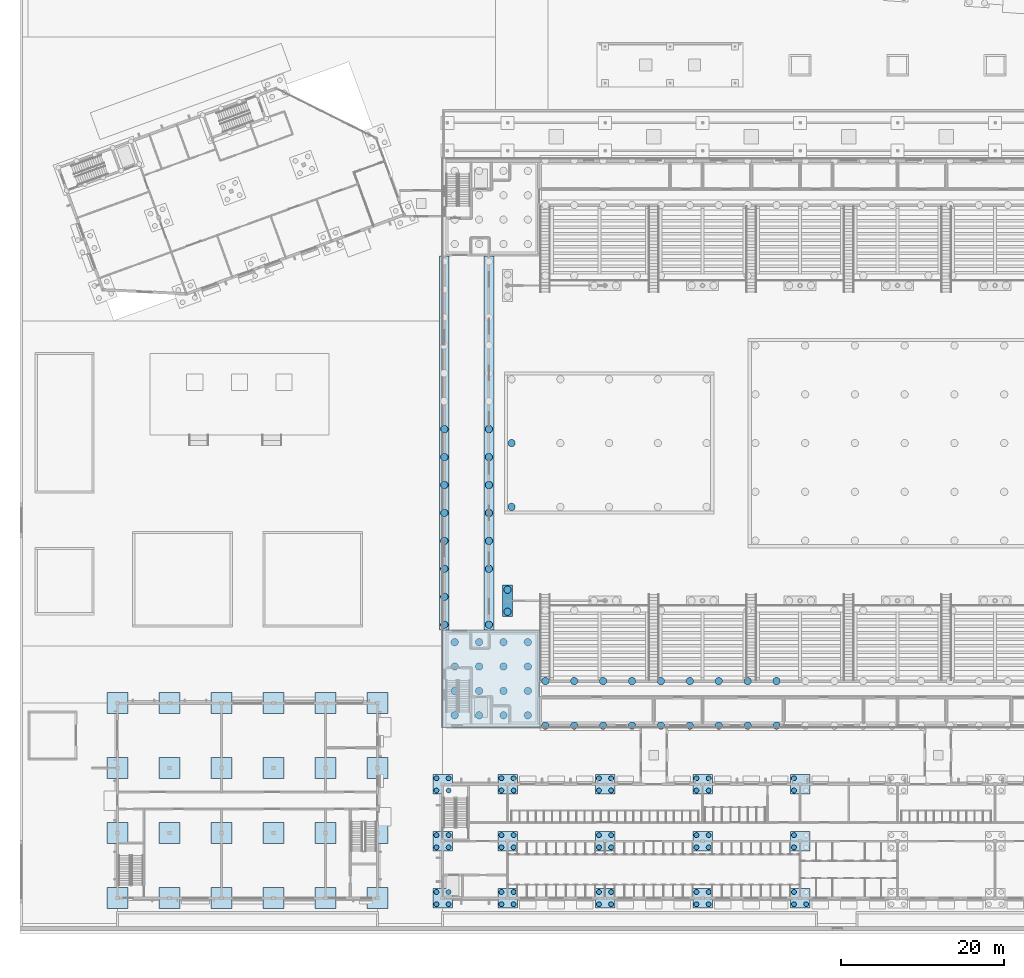
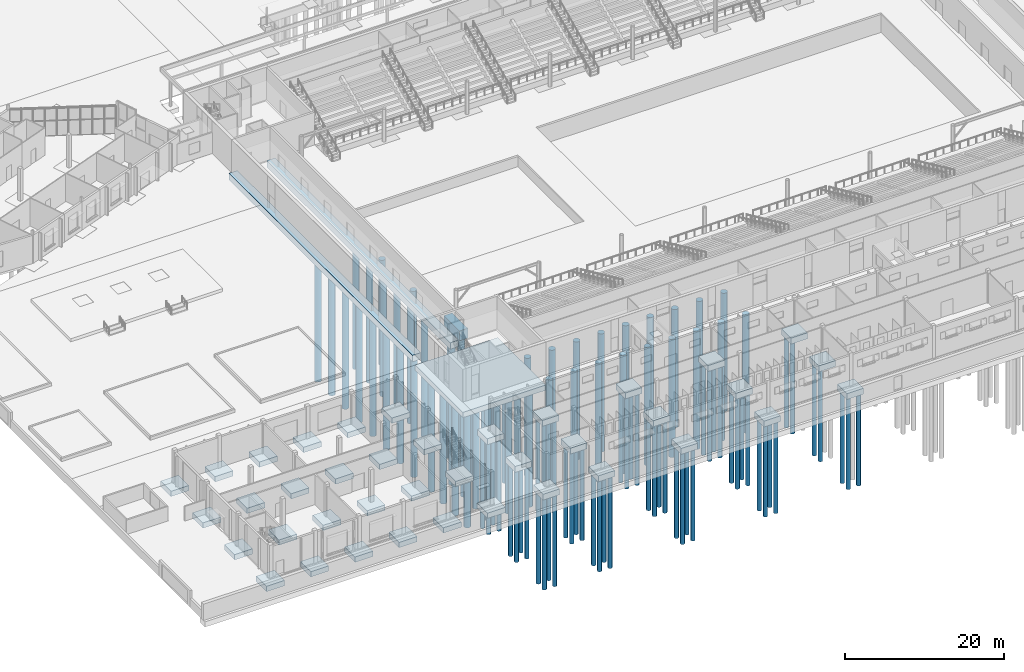
# One storey, part 1 of 157: 108 piles, 43 footings.
"""IFC4 building model written with IfcOpenShell, lengths in metres."""

from ifc_helpers import new_model, si_unit, direction, frame, origin, origin_2d, place, context, subcontext, project, spatial, rectangle, circle, extrude, material, material_profile, profile_set, type_object, element, save


model = new_model("IFC4")

# Units and contexts
model_context = context("Model", 3, precision=1e-05, world=origin(), true_north=direction((0.0, 1.0)))
body_context = subcontext(model_context, "Body", "Model", "MODEL_VIEW")
ifc_project = project(units=[si_unit("LENGTHUNIT", "METRE"), si_unit("AREAUNIT", "SQUARE_METRE"), si_unit("VOLUMEUNIT", "CUBIC_METRE"), si_unit("PLANEANGLEUNIT", "RADIAN"), si_unit("MASSUNIT", "GRAM", prefix="KILO")], contexts=[model_context])

# Site, building, storey
site_placement = place(None, origin())
site = spatial("IfcSite", under=ifc_project, at=site_placement, CompositionType="ELEMENT")
building_placement = place(site_placement, origin())
building = spatial("IfcBuilding", under=site, at=building_placement, Name="Windward Yard Aquatics Centre", CompositionType="ELEMENT")
storey_placement = place(building_placement, origin())
storey = spatial("IfcBuildingStorey", under=building, at=storey_placement, Name="L00", CompositionType="ELEMENT", Elevation=0.0)

# Piles
ifc_material = material(Name="Concrete C35/45", Category="concrete")
ifc_material_profile_1 = material_profile(ifc_material, circle(Radius=0.300048828125, at=origin_2d()), Name="RC D600")
ifc_profile_set_1 = profile_set([ifc_material_profile_1], Name="Concrete C35/45")
pile_type_1 = type_object("IfcPileType", Name="C bored pile D600", PredefinedType="BORED", material=ifc_profile_set_1)
for number, where, z_axis, x_axis, name in (
    (1, (51.25, 4.25, -1.050048828125), (0.0, 0.0, -1.0), (1.0, 0.0, 0.0), "C.PL.1.1.1"),
    (2, (52.75, 4.25, -1.050048828125), (0.0, 0.0, -1.0), (1.0, 0.0, 0.0), "C.PL.1.1.2"),
    (3, (52.75, 5.75, -1.050048828125), (0.0, 0.0, -1.0), (1.0, 0.0, 0.0), "C.PL.1.1.3"),
    (4, (51.25, 5.75, -1.050048828125), (0.0, 0.0, -1.0), (1.0, 0.0, 0.0), "C.PL.1.1.4"),
    (5, (51.25, 11.25, -1.050048828125), (0.0, 0.0, -1.0), (1.0, 0.0, 0.0), "C.PL.1.2.1"),
    (6, (52.75, 11.25, -1.050048828125), (0.0, 0.0, -1.0), (1.0, 0.0, 0.0), "C.PL.1.2.2"),
    (7, (52.75, 12.75, -1.050048828125), (0.0, 0.0, -1.0), (1.0, 0.0, 0.0), "C.PL.1.2.3"),
    (8, (51.25, 12.75, -1.050048828125), (0.0, 0.0, -1.0), (1.0, 0.0, 0.0), "C.PL.1.2.4"),
    (9, (51.25, 18.25, -1.050048828125), (0.0, 0.0, -1.0), (1.0, 0.0, 0.0), "C.PL.1.3.1"),
    (10, (52.75, 18.25, -1.050048828125), (0.0, 0.0, -1.0), (1.0, 0.0, 0.0), "C.PL.1.3.2"),
    (11, (52.75, 19.75, -1.050048828125), (0.0, 0.0, -1.0), (1.0, 0.0, 0.0), "C.PL.1.3.3"),
    (12, (51.25, 19.75, -1.050048828125), (0.0, 0.0, -1.0), (1.0, 0.0, 0.0), "C.PL.1.3.4"),
    (13, (59.25, 4.25, -1.050048828125), (0.0, 0.0, -1.0), (1.0, 0.0, 0.0), "C.PL.2.1.1"),
    (14, (60.75, 4.25, -1.050048828125), (0.0, 0.0, -1.0), (1.0, 0.0, 0.0), "C.PL.2.1.2"),
    (15, (60.75, 5.75, -1.050048828125), (0.0, 0.0, -1.0), (1.0, 0.0, 0.0), "C.PL.2.1.3"),
    (16, (59.25, 5.75, -1.050048828125), (0.0, 0.0, -1.0), (1.0, 0.0, 0.0), "C.PL.2.1.4"),
    (17, (59.25, 11.25, -1.050048828125), (0.0, 0.0, -1.0), (1.0, 0.0, 0.0), "C.PL.2.2.1"),
    (18, (60.75, 11.25, -1.050048828125), (0.0, 0.0, -1.0), (1.0, 0.0, 0.0), "C.PL.2.2.2"),
    (19, (60.75, 12.75, -1.050048828125), (0.0, 0.0, -1.0), (1.0, 0.0, 0.0), "C.PL.2.2.3"),
    (20, (59.25, 12.75, -1.050048828125), (0.0, 0.0, -1.0), (1.0, 0.0, 0.0), "C.PL.2.2.4"),
    (21, (59.25, 18.25, -1.050048828125), (0.0, 0.0, -1.0), (1.0, 0.0, 0.0), "C.PL.2.3.1"),
    (22, (60.75, 18.25, -1.050048828125), (0.0, 0.0, -1.0), (1.0, 0.0, 0.0), "C.PL.2.3.2"),
    (23, (60.75, 19.75, -1.050048828125), (0.0, 0.0, -1.0), (1.0, 0.0, 0.0), "C.PL.2.3.3"),
    (24, (59.25, 19.75, -1.050048828125), (0.0, 0.0, -1.0), (1.0, 0.0, 0.0), "C.PL.2.3.4"),
    (25, (71.25, 4.25, -1.050048828125), (0.0, 0.0, -1.0), (1.0, 0.0, 0.0), "C.PL.3.1.1"),
    (26, (72.75, 4.25, -1.050048828125), (0.0, 0.0, -1.0), (1.0, 0.0, 0.0), "C.PL.3.1.2"),
    (27, (72.75, 5.75, -1.050048828125), (0.0, 0.0, -1.0), (1.0, 0.0, 0.0), "C.PL.3.1.3"),
    (28, (71.25, 5.75, -1.050048828125), (0.0, 0.0, -1.0), (1.0, 0.0, 0.0), "C.PL.3.1.4"),
    (29, (71.25, 11.25, -1.050048828125), (0.0, 0.0, -1.0), (1.0, 0.0, 0.0), "C.PL.3.2.1"),
    (30, (72.75, 11.25, -1.050048828125), (0.0, 0.0, -1.0), (1.0, 0.0, 0.0), "C.PL.3.2.2"),
    (31, (72.75, 12.75, -1.050048828125), (0.0, 0.0, -1.0), (1.0, 0.0, 0.0), "C.PL.3.2.3"),
    (32, (71.25, 12.75, -1.050048828125), (0.0, 0.0, -1.0), (1.0, 0.0, 0.0), "C.PL.3.2.4"),
    (33, (71.25, 18.25, -1.050048828125), (0.0, 0.0, -1.0), (1.0, 0.0, 0.0), "C.PL.3.3.1"),
    (34, (72.75, 18.25, -1.050048828125), (0.0, 0.0, -1.0), (1.0, 0.0, 0.0), "C.PL.3.3.2"),
    (35, (72.75, 19.75, -1.050048828125), (0.0, 0.0, -1.0), (1.0, 0.0, 0.0), "C.PL.3.3.3"),
    (36, (71.25, 19.75, -1.050048828125), (0.0, 0.0, -1.0), (1.0, 0.0, 0.0), "C.PL.3.3.4"),
    (37, (83.25, 4.25, -1.050048828125), (0.0, 0.0, -1.0), (1.0, 0.0, 0.0), "C.PL.4.1.1"),
    (38, (84.75, 4.25, -1.050048828125), (0.0, 0.0, -1.0), (1.0, 0.0, 0.0), "C.PL.4.1.2"),
    (39, (84.75, 5.75, -1.050048828125), (0.0, 0.0, -1.0), (1.0, 0.0, 0.0), "C.PL.4.1.3"),
    (40, (83.25, 5.75, -1.050048828125), (0.0, 0.0, -1.0), (1.0, 0.0, 0.0), "C.PL.4.1.4"),
    (41, (83.25, 11.25, -1.050048828125), (0.0, 0.0, -1.0), (1.0, 0.0, 0.0), "C.PL.4.2.1"),
    (42, (84.75, 11.25, -1.050048828125), (0.0, 0.0, -1.0), (1.0, 0.0, 0.0), "C.PL.4.2.2"),
    (43, (84.75, 12.75, -1.050048828125), (0.0, 0.0, -1.0), (1.0, 0.0, 0.0), "C.PL.4.2.3"),
    (44, (83.25, 12.75, -1.050048828125), (0.0, 0.0, -1.0), (1.0, 0.0, 0.0), "C.PL.4.2.4"),
    (45, (83.25, 18.25, -1.050048828125), (0.0, 0.0, -1.0), (1.0, 0.0, 0.0), "C.PL.4.3.1"),
    (46, (84.75, 18.25, -1.050048828125), (0.0, 0.0, -1.0), (1.0, 0.0, 0.0), "C.PL.4.3.2"),
    (47, (84.75, 19.75, -1.050048828125), (0.0, 0.0, -1.0), (1.0, 0.0, 0.0), "C.PL.4.3.3"),
    (48, (83.25, 19.75, -1.050048828125), (0.0, 0.0, -1.0), (1.0, 0.0, 0.0), "C.PL.4.3.4"),
    (49, (95.25, 4.25, -1.050048828125), (0.0, 0.0, -1.0), (1.0, 0.0, 0.0), "C.PL.5.1.1"),
    (50, (96.75, 4.25, -1.050048828125), (0.0, 0.0, -1.0), (1.0, 0.0, 0.0), "C.PL.5.1.2"),
    (51, (95.25, 5.75, -1.050048828125), (0.0, 0.0, -1.0), (1.0, 0.0, 0.0), "C.PL.5.1.4"),
    (52, (95.25, 11.25, -1.050048828125), (0.0, 0.0, -1.0), (1.0, 0.0, 0.0), "C.PL.5.2.1"),
    (53, (95.25, 12.75, -1.050048828125), (0.0, 0.0, -1.0), (1.0, 0.0, 0.0), "C.PL.5.2.4"),
    (54, (95.25, 18.25, -1.050048828125), (0.0, 0.0, -1.0), (1.0, 0.0, 0.0), "C.PL.5.3.1"),
    (55, (95.25, 19.75, -1.050048828125), (0.0, 0.0, -1.0), (1.0, 0.0, 0.0), "C.PL.5.3.4"),
):
    element("IfcPile", number, at=place(storey_placement, frame(where, z_axis=z_axis, x_axis=x_axis)), inside=storey, type_object=pile_type_1, Name=name, PredefinedType="BORED", context=body_context, shape_type="SweptSolid", body=[
        extrude(circle(Radius=0.300048828125, at=origin_2d()), origin(), (0.0, 0.0, 1.0), 14.10009765625),
    ])

# Footings
footing_type_1 = type_object("IfcFootingType", Name="C pile cap 2400X2400X900", PredefinedType="PILE_CAP", material=ifc_material)
for number, where, z_axis, x_axis, name in (
    (56, (52.0, 5.0, -1.14990234375), (0.0, 0.0, 1.0), (1.0, 0.0, 0.0), "C.PC.1.1"),
    (57, (52.0, 12.0, -1.14990234375), (0.0, 0.0, 1.0), (1.0, 0.0, 0.0), "C.PC.1.2"),
    (58, (52.0, 19.0, -1.14990234375), (0.0, 0.0, 1.0), (1.0, 0.0, 0.0), "C.PC.1.3"),
    (59, (60.0, 5.0, -1.14990234375), (0.0, 0.0, 1.0), (1.0, 0.0, 0.0), "C.PC.2.1"),
    (60, (60.0, 12.0, -1.14990234375), (0.0, 0.0, 1.0), (1.0, 0.0, 0.0), "C.PC.2.2"),
    (61, (60.0, 19.0, -1.14990234375), (0.0, 0.0, 1.0), (1.0, 0.0, 0.0), "C.PC.2.3"),
    (62, (72.0, 5.0, -1.14990234375), (0.0, 0.0, 1.0), (1.0, 0.0, 0.0), "C.PC.3.1"),
    (63, (72.0, 12.0, -1.14990234375), (0.0, 0.0, 1.0), (1.0, 0.0, 0.0), "C.PC.3.2"),
    (64, (72.0, 19.0, -1.14990234375), (0.0, 0.0, 1.0), (1.0, 0.0, 0.0), "C.PC.3.3"),
    (65, (84.0, 5.0, -1.14990234375), (0.0, 0.0, 1.0), (1.0, 0.0, 0.0), "C.PC.4.1"),
    (66, (84.0, 12.0, -1.14990234375), (0.0, 0.0, 1.0), (1.0, 0.0, 0.0), "C.PC.4.2"),
    (67, (84.0, 19.0, -1.14990234375), (0.0, 0.0, 1.0), (1.0, 0.0, 0.0), "C.PC.4.3"),
    (68, (96.0, 5.0, -1.14990234375), (0.0, 0.0, 1.0), (1.0, 0.0, 0.0), "C.PC.5.1"),
    (69, (96.0, 12.0, -1.14990234375), (0.0, 0.0, 1.0), (1.0, 0.0, 0.0), "C.PC.5.2"),
    (70, (96.0, 19.0, -1.14990234375), (0.0, 0.0, 1.0), (1.0, 0.0, 0.0), "C.PC.5.3"),
):
    element("IfcFooting", number, at=place(storey_placement, frame(where, z_axis=z_axis, x_axis=x_axis)), inside=storey, type_object=footing_type_1, Name=name, PredefinedType="PILE_CAP", context=body_context, shape_type="SweptSolid", body=[
        extrude(rectangle(XDim=2.39990234375, YDim=2.39990234375, at=origin_2d()), origin(), (0.0, 0.0, 1.0), 0.89990234375),
    ])

# Piles
ifc_material_profile_2 = material_profile(ifc_material, circle(Radius=0.449951171875, at=origin_2d()), Name="RC D900")
ifc_profile_set_2 = profile_set([ifc_material_profile_2], Name="Concrete C35/45")
pile_type_2 = type_object("IfcPileType", Name="H bored pile RC D900 C35/45", PredefinedType="BORED", material=ifc_profile_set_2)
for number, where, z_axis, x_axis, name in (
    (71, (64.64990234375, 26.22509765625, -0.89990234375), (0.0, 0.0, -1.0), (1.0, 0.0, 0.0), "H.PL.PW.S.01"),
    (72, (68.20703125, 26.22509765625, -0.89990234375), (0.0, 0.0, -1.0), (1.0, 0.0, 0.0), "H.PL.PW.S.02"),
    (73, (71.764404296875, 26.22509765625, -0.89990234375), (0.0, 0.0, -1.0), (1.0, 0.0, 0.0), "H.PL.PW.S.03"),
    (74, (75.321533203125, 26.22509765625, -0.89990234375), (0.0, 0.0, -1.0), (1.0, 0.0, 0.0), "H.PL.PW.S.04"),
    (75, (78.878662109375, 26.22509765625, -0.89990234375), (0.0, 0.0, -1.0), (1.0, 0.0, 0.0), "H.PL.PW.S.05"),
    (76, (82.435791015625, 26.22509765625, -0.89990234375), (0.0, 0.0, -1.0), (1.0, 0.0, 0.0), "H.PL.PW.S.06"),
    (77, (85.992919921875, 26.22509765625, -0.89990234375), (0.0, 0.0, -1.0), (1.0, 0.0, 0.0), "H.PL.PW.S.07"),
    (78, (89.550048828125, 26.22509765625, -0.89990234375), (0.0, 0.0, -1.0), (1.0, 0.0, 0.0), "H.PL.PW.S.08"),
    (79, (93.107177734375, 26.22509765625, -0.89990234375), (0.0, 0.0, -1.0), (1.0, 0.0, 0.0), "H.PL.PW.S.09"),
    (80, (64.64990234375, 31.709716796875, -0.89990234375), (0.0, 0.0, -1.0), (1.0, 0.0, 0.0), "H.PL.RW.S.01"),
    (81, (68.20703125, 31.709716796875, -0.89990234375), (0.0, 0.0, -1.0), (1.0, 0.0, 0.0), "H.PL.RW.S.02"),
    (82, (71.764404296875, 31.709716796875, -0.89990234375), (0.0, 0.0, -1.0), (1.0, 0.0, 0.0), "H.PL.RW.S.03"),
    (83, (75.321533203125, 31.709716796875, -0.89990234375), (0.0, 0.0, -1.0), (1.0, 0.0, 0.0), "H.PL.RW.S.04"),
    (84, (78.878662109375, 31.709716796875, -0.89990234375), (0.0, 0.0, -1.0), (1.0, 0.0, 0.0), "H.PL.RW.S.05"),
    (85, (82.435791015625, 31.709716796875, -0.89990234375), (0.0, 0.0, -1.0), (1.0, 0.0, 0.0), "H.PL.RW.S.06"),
    (86, (85.992919921875, 31.709716796875, -0.89990234375), (0.0, 0.0, -1.0), (1.0, 0.0, 0.0), "H.PL.RW.S.07"),
    (87, (89.550048828125, 31.709716796875, -0.89990234375), (0.0, 0.0, -1.0), (1.0, 0.0, 0.0), "H.PL.RW.S.08"),
    (88, (93.107177734375, 31.709716796875, -0.89990234375), (0.0, 0.0, -1.0), (1.0, 0.0, 0.0), "H.PL.RW.S.09"),
    (89, (52.22509765625, 38.64990234375, -0.89990234375), (0.0, 0.0, -1.0), (1.0, 0.0, 0.0), "H.PL.PW.W.01"),
    (90, (52.22509765625, 42.08837890625, -0.89990234375), (0.0, 0.0, -1.0), (1.0, 0.0, 0.0), "H.PL.PW.W.02"),
    (91, (52.22509765625, 45.52685546875, -0.89990234375), (0.0, 0.0, -1.0), (1.0, 0.0, 0.0), "H.PL.PW.W.03"),
    (92, (52.22509765625, 48.96533203125, -0.89990234375), (0.0, 0.0, -1.0), (1.0, 0.0, 0.0), "H.PL.PW.W.04"),
    (93, (52.22509765625, 52.40380859375, -0.89990234375), (0.0, 0.0, -1.0), (1.0, 0.0, 0.0), "H.PL.PW.W.05"),
    (94, (52.22509765625, 55.84228515625, -0.89990234375), (0.0, 0.0, -1.0), (1.0, 0.0, 0.0), "H.PL.PW.W.06"),
    (95, (52.22509765625, 59.28076171875, -0.89990234375), (0.0, 0.0, -1.0), (1.0, 0.0, 0.0), "H.PL.PW.W.07"),
    (96, (52.22509765625, 62.71923828125, -0.89990234375), (0.0, 0.0, -1.0), (1.0, 0.0, 0.0), "H.PL.PW.W.08"),
    (97, (57.709716796875, 38.64990234375, -0.89990234375), (0.0, 0.0, -1.0), (1.0, 0.0, 0.0), "H.PL.RW.W.01"),
    (98, (57.709716796875, 45.52685546875, -0.89990234375), (0.0, 0.0, -1.0), (1.0, 0.0, 0.0), "H.PL.RW.W.02"),
    (99, (57.709716796875, 48.96533203125, -0.89990234375), (0.0, 0.0, -1.0), (1.0, 0.0, 0.0), "H.PL.RW.W.03"),
    (100, (57.709716796875, 52.40380859375, -0.89990234375), (0.0, 0.0, -1.0), (1.0, 0.0, 0.0), "H.PL.RW.W.04"),
    (101, (57.709716796875, 55.84228515625, -0.89990234375), (0.0, 0.0, -1.0), (1.0, 0.0, 0.0), "H.PL.RW.W.05"),
    (102, (57.709716796875, 59.28076171875, -0.89990234375), (0.0, 0.0, -1.0), (1.0, 0.0, 0.0), "H.PL.RW.W.06"),
    (103, (57.709716796875, 62.71923828125, -0.89990234375), (0.0, 0.0, -1.0), (1.0, 0.0, 0.0), "H.PL.RW.W.07"),
    (104, (53.5, 27.5, -2.300048828125), (0.0, 0.0, -1.0), (1.0, 0.0, 0.0), "H.PL.CR.SW.01"),
    (105, (53.5, 30.5, -2.300048828125), (0.0, 0.0, -1.0), (1.0, 0.0, 0.0), "H.PL.CR.SW.02"),
    (106, (53.5, 33.5, -2.300048828125), (0.0, 0.0, -1.0), (1.0, 0.0, 0.0), "H.PL.CR.SW.03"),
    (107, (53.5, 36.5, -2.300048828125), (0.0, 0.0, -1.0), (1.0, 0.0, 0.0), "H.PL.CR.SW.04"),
    (108, (56.5, 27.5, -2.300048828125), (0.0, 0.0, -1.0), (1.0, 0.0, 0.0), "H.PL.CR.SW.05"),
    (109, (56.5, 30.5, -2.300048828125), (0.0, 0.0, -1.0), (1.0, 0.0, 0.0), "H.PL.CR.SW.06"),
    (110, (56.5, 33.5, -2.300048828125), (0.0, 0.0, -1.0), (1.0, 0.0, 0.0), "H.PL.CR.SW.07"),
    (111, (56.5, 36.5, -2.300048828125), (0.0, 0.0, -1.0), (1.0, 0.0, 0.0), "H.PL.CR.SW.08"),
    (112, (59.5, 27.5, -2.300048828125), (0.0, 0.0, -1.0), (1.0, 0.0, 0.0), "H.PL.CR.SW.09"),
    (113, (59.5, 30.5, -2.300048828125), (0.0, 0.0, -1.0), (1.0, 0.0, 0.0), "H.PL.CR.SW.10"),
    (114, (59.5, 33.5, -2.300048828125), (0.0, 0.0, -1.0), (1.0, 0.0, 0.0), "H.PL.CR.SW.11"),
    (115, (59.5, 36.5, -2.300048828125), (0.0, 0.0, -1.0), (1.0, 0.0, 0.0), "H.PL.CR.SW.12"),
    (116, (62.5, 27.5, -2.300048828125), (0.0, 0.0, -1.0), (1.0, 0.0, 0.0), "H.PL.CR.SW.13"),
    (117, (62.5, 30.5, -2.300048828125), (0.0, 0.0, -1.0), (1.0, 0.0, 0.0), "H.PL.CR.SW.14"),
    (118, (62.5, 33.5, -2.300048828125), (0.0, 0.0, -1.0), (1.0, 0.0, 0.0), "H.PL.CR.SW.15"),
    (119, (62.5, 36.5, -2.300048828125), (0.0, 0.0, -1.0), (1.0, 0.0, 0.0), "H.PL.CR.SW.16"),
):
    element("IfcPile", number, at=place(storey_placement, frame(where, z_axis=z_axis, x_axis=x_axis)), inside=storey, type_object=pile_type_2, Name=name, PredefinedType="BORED", context=body_context, shape_type="SweptSolid", body=[
        extrude(circle(Radius=0.449951171875, at=origin_2d()), origin(), (0.0, 0.0, 1.0), 18.10009765625),
    ])
for number, where, z_axis, x_axis, name in (
    (120, (60.0, 40.25, -1.39990234375), (0.0, 0.0, -1.0), (1.0, 0.0, 0.0), "H.PL.AC.S1.1"),
    (121, (60.0, 42.949951171875, -1.39990234375), (0.0, 0.0, -1.0), (1.0, 0.0, 0.0), "H.PL.AC.S1.2"),
):
    element("IfcPile", number, at=place(storey_placement, frame(where, z_axis=z_axis, x_axis=x_axis)), inside=storey, type_object=pile_type_2, Name=name, PredefinedType="BORED", context=body_context, shape_type="SweptSolid", body=[
        extrude(circle(Radius=0.449951171875, at=origin_2d()), origin(), (0.0, 0.0, 1.0), 20.10009765625),
    ])
for number, where, z_axis, x_axis, name in (
    (122, (60.5, 53.14990234375, -2.199951171875), (0.0, 0.0, -1.0), (1.0, 0.0, 0.0), "H.PL.TK.T.01"),
    (123, (60.5, 61.0, -2.199951171875), (0.0, 0.0, -1.0), (1.0, 0.0, 0.0), "H.PL.TK.T.02"),
):
    element("IfcPile", number, at=place(storey_placement, frame(where, z_axis=z_axis, x_axis=x_axis)), inside=storey, type_object=pile_type_2, Name=name, PredefinedType="BORED", context=body_context, shape_type="SweptSolid", body=[
        extrude(circle(Radius=0.449951171875, at=origin_2d()), origin(), (0.0, 0.0, 1.0), 16.10009765625),
    ])

# Footings
footing_type_2 = type_object("IfcFootingType", Name="H core raft 12000x12000x800", PredefinedType="PILE_CAP", material=ifc_material)
footing_1_placement = place(storey_placement, frame((58.0, 32.0, -2.39990234375), z_axis=(0.0, 0.0, 1.0), x_axis=(1.0, 0.0, 0.0)))
element("IfcFooting", 124, at=footing_1_placement, inside=storey, type_object=footing_type_2, Name="H.FT.CR.SW", PredefinedType="PILE_CAP", context=body_context, shape_type="SweptSolid", body=[
    extrude(rectangle(XDim=12.0, YDim=12.0, at=origin_2d()), origin(), (0.0, 0.0, 1.0), 0.800048828125),
])
footing_type_3 = type_object("IfcFootingType", Name="H pile cap 3900x1200x1500", PredefinedType="PILE_CAP", material=ifc_material)
footing_2_placement = place(storey_placement, frame((60.0, 41.60009765625, -1.5), z_axis=(0.0, 0.0, 1.0), x_axis=(0.0, 1.0, 0.0)))
element("IfcFooting", 125, at=footing_2_placement, inside=storey, type_object=footing_type_3, Name="H.FT.AC.S1", PredefinedType="PILE_CAP", context=body_context, shape_type="SweptSolid", body=[
    extrude(rectangle(XDim=3.89990234375, YDim=1.199951171875, at=origin_2d()), origin(), (0.0, 0.0, 1.0), 1.5),
])
footing_type_4 = type_object("IfcFootingType", Name="H strip footing 1200x1000", PredefinedType="STRIP_FOOTING", material=ifc_material)
for number, where, z_axis, x_axis, name in (
    (126, (52.22509765625, 61.0, -1.0), (0.0, 0.0, 1.0), (1.0, 0.0, 0.0), "H.FT.PW.W"),
    (127, (57.709716796875, 61.0, -1.0), (0.0, 0.0, 1.0), (1.0, 0.0, 0.0), "H.FT.RW.W"),
):
    element("IfcFooting", number, at=place(storey_placement, frame(where, z_axis=z_axis, x_axis=x_axis)), inside=storey, type_object=footing_type_4, Name=name, PredefinedType="STRIP_FOOTING", context=body_context, shape_type="SweptSolid", body=[
        extrude(rectangle(XDim=1.199951171875, YDim=46.0, at=origin_2d()), origin(), (0.0, 0.0, 1.0), 1.0),
    ])
footing_type_5 = type_object("IfcFootingType", Name="P pad footing 2600X2600X800", PredefinedType="PAD_FOOTING", material=ifc_material)
for number, where, z_axis, x_axis, name in (
    (128, (12.0, 5.0, -1.0498046875), (0.0, 0.0, 1.0), (1.0, 0.0, 0.0), "P.PF.1.1"),
    (129, (12.0, 13.0, -1.0498046875), (0.0, 0.0, 1.0), (1.0, 0.0, 0.0), "P.PF.1.2"),
    (130, (12.0, 21.0, -1.0498046875), (0.0, 0.0, 1.0), (1.0, 0.0, 0.0), "P.PF.1.3"),
    (131, (12.0, 29.0, -1.0498046875), (0.0, 0.0, 1.0), (1.0, 0.0, 0.0), "P.PF.1.4"),
    (132, (18.39990234375, 5.0, -1.0498046875), (0.0, 0.0, 1.0), (1.0, 0.0, 0.0), "P.PF.2.1"),
    (133, (18.39990234375, 13.0, -1.0498046875), (0.0, 0.0, 1.0), (1.0, 0.0, 0.0), "P.PF.2.2"),
    (134, (18.39990234375, 21.0, -1.0498046875), (0.0, 0.0, 1.0), (1.0, 0.0, 0.0), "P.PF.2.3"),
    (135, (18.39990234375, 29.0, -1.0498046875), (0.0, 0.0, 1.0), (1.0, 0.0, 0.0), "P.PF.2.4"),
    (136, (24.800048828125, 5.0, -1.0498046875), (0.0, 0.0, 1.0), (1.0, 0.0, 0.0), "P.PF.3.1"),
    (137, (24.800048828125, 13.0, -1.0498046875), (0.0, 0.0, 1.0), (1.0, 0.0, 0.0), "P.PF.3.2"),
    (138, (24.800048828125, 21.0, -1.0498046875), (0.0, 0.0, 1.0), (1.0, 0.0, 0.0), "P.PF.3.3"),
    (139, (24.800048828125, 29.0, -1.0498046875), (0.0, 0.0, 1.0), (1.0, 0.0, 0.0), "P.PF.3.4"),
    (140, (31.199951171875, 5.0, -1.0498046875), (0.0, 0.0, 1.0), (1.0, 0.0, 0.0), "P.PF.4.1"),
    (141, (31.199951171875, 13.0, -1.0498046875), (0.0, 0.0, 1.0), (1.0, 0.0, 0.0), "P.PF.4.2"),
    (142, (31.199951171875, 21.0, -1.0498046875), (0.0, 0.0, 1.0), (1.0, 0.0, 0.0), "P.PF.4.3"),
    (143, (31.199951171875, 29.0, -1.0498046875), (0.0, 0.0, 1.0), (1.0, 0.0, 0.0), "P.PF.4.4"),
    (144, (37.60009765625, 5.0, -1.0498046875), (0.0, 0.0, 1.0), (1.0, 0.0, 0.0), "P.PF.5.1"),
    (145, (37.60009765625, 13.0, -1.0498046875), (0.0, 0.0, 1.0), (1.0, 0.0, 0.0), "P.PF.5.2"),
    (146, (37.60009765625, 21.0, -1.0498046875), (0.0, 0.0, 1.0), (1.0, 0.0, 0.0), "P.PF.5.3"),
    (147, (37.60009765625, 29.0, -1.0498046875), (0.0, 0.0, 1.0), (1.0, 0.0, 0.0), "P.PF.5.4"),
    (148, (44.0, 5.0, -1.0498046875), (0.0, 0.0, 1.0), (1.0, 0.0, 0.0), "P.PF.6.1"),
    (149, (44.0, 13.0, -1.0498046875), (0.0, 0.0, 1.0), (1.0, 0.0, 0.0), "P.PF.6.2"),
    (150, (44.0, 21.0, -1.0498046875), (0.0, 0.0, 1.0), (1.0, 0.0, 0.0), "P.PF.6.3"),
    (151, (44.0, 29.0, -1.0498046875), (0.0, 0.0, 1.0), (1.0, 0.0, 0.0), "P.PF.6.4"),
):
    element("IfcFooting", number, at=place(storey_placement, frame(where, z_axis=z_axis, x_axis=x_axis)), inside=storey, type_object=footing_type_5, Name=name, PredefinedType="PAD_FOOTING", context=body_context, shape_type="SweptSolid", body=[
        extrude(rectangle(XDim=2.60009765625, YDim=2.60009765625, at=origin_2d()), origin(), (0.0, 0.0, 1.0), 0.800048828125),
    ])

save(model, "model.ifc")
